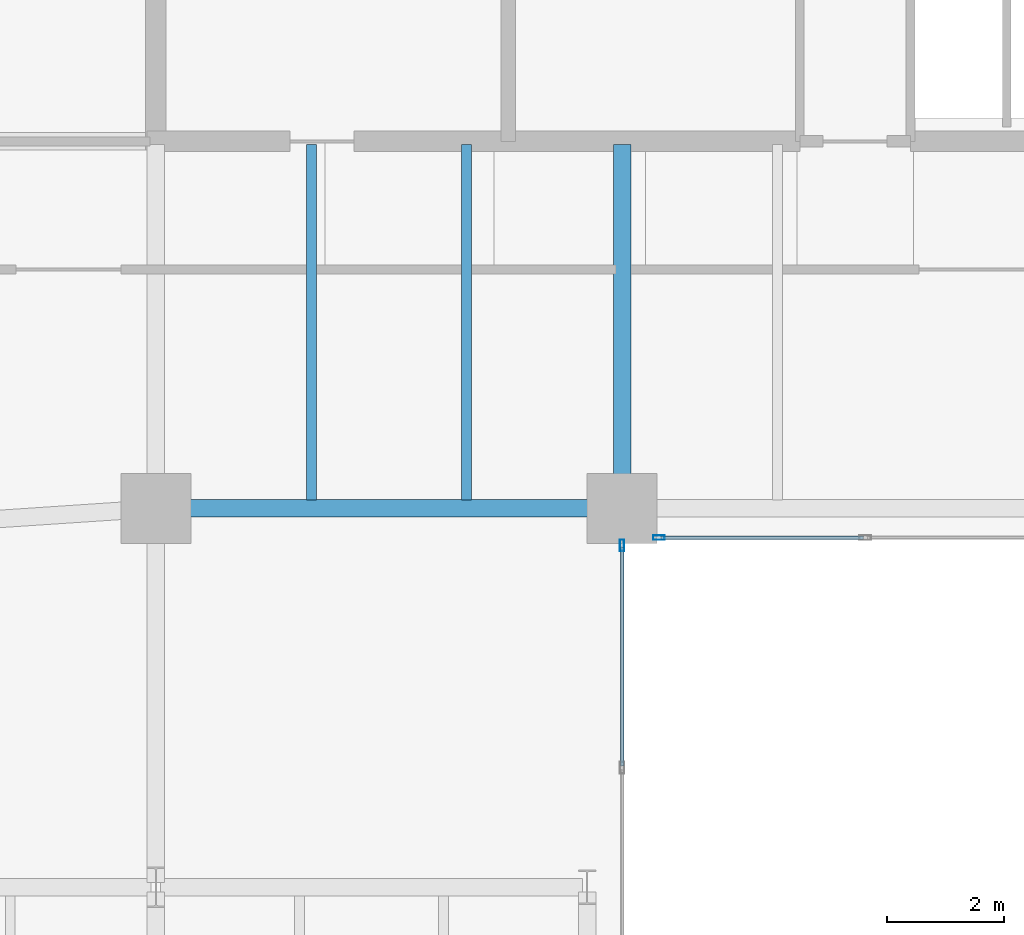
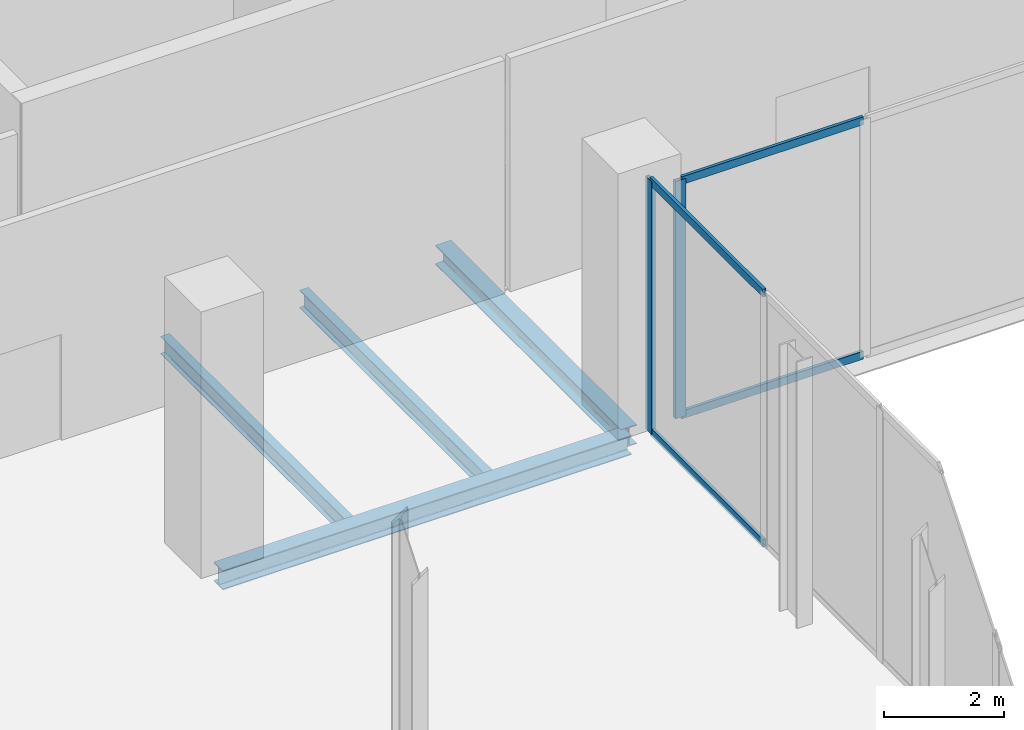
# One storey, part 8 of 18: 6 members, 4 beams, 2 elements without a shape of their own.
"""IFC4 building model written with IfcOpenShell, lengths in metres."""

from ifc_helpers import new_model, si_unit, direction, frame, origin, origin_2d, place, context, subcontext, project, spatial, hollow_rectangle, i_section, extrude, material, layer, layer_set, material_profile, profile_set, type_object, element, aggregate, save


model = new_model("IFC4")

# Units and contexts
model_context = context("Model", 3, precision=1e-05, world=origin(), true_north=direction((0.0, 1.0)))
body_context = subcontext(model_context, "Body", "Model", "MODEL_VIEW")
ifc_project = project(units=[si_unit("LENGTHUNIT", "METRE"), si_unit("AREAUNIT", "SQUARE_METRE"), si_unit("VOLUMEUNIT", "CUBIC_METRE"), si_unit("PLANEANGLEUNIT", "RADIAN"), si_unit("MASSUNIT", "GRAM", prefix="KILO")], contexts=[model_context])

# Site, building, storey
site_placement = place(None, origin())
site = spatial("IfcSite", under=ifc_project, at=site_placement, CompositionType="ELEMENT")
building_placement = place(site_placement, origin())
building = spatial("IfcBuilding", under=site, at=building_placement, Name="Catumbela Crestline Tower", CompositionType="ELEMENT")
storey_placement = place(building_placement, frame((0.0, 0.0, 148.8)))
storey = spatial("IfcBuildingStorey", under=building, at=storey_placement, Name="L38", CompositionType="ELEMENT", Elevation=148.8)

# Beams
ifc_material_1 = material(Name="Structural steel S355J2", Category="steel")
ifc_material_profile_1 = material_profile(ifc_material_1, i_section(OverallWidth=0.3, OverallDepth=0.39, WebThickness=0.011, FlangeThickness=0.019, FilletRadius=0.027, at=origin_2d()), Name="HEA 400")
ifc_profile_set_1 = profile_set([ifc_material_profile_1], Name="Structural steel S355J2")
beam_type_1 = type_object("IfcBeamType", Name="BG-HEA400", PredefinedType="BEAM", material=ifc_profile_set_1)
beam_1_placement = place(storey_placement, frame((16.08, 24.5, -0.545), z_axis=(1.0, 0.0, 0.0), x_axis=(0.0, 1.0, 0.0)))
element("IfcBeam", 1, at=beam_1_placement, inside=storey, type_object=beam_type_1, Name="L38 Beam BM-L38-S03", PredefinedType="BEAM", context=body_context, shape_type="SweptSolid", body=[
    extrude(i_section(OverallWidth=0.3, OverallDepth=0.39, WebThickness=0.011, FlangeThickness=0.019, FilletRadius=0.027, at=origin_2d()), origin(), (0.0, 0.0, 1.0), 7.84),
])
beam_2_placement = place(storey_placement, frame((24.0, 24.58, -0.545), z_axis=(0.0, 1.0, 0.0), x_axis=(-1.0, 0.0, 0.0)))
element("IfcBeam", 2, at=beam_2_placement, inside=storey, type_object=beam_type_1, Name="L38 Beam BM-L38-SNS18", PredefinedType="BEAM", context=body_context, shape_type="SweptSolid", body=[
    extrude(i_section(OverallWidth=0.3, OverallDepth=0.39, WebThickness=0.011, FlangeThickness=0.019, FilletRadius=0.027, at=origin_2d()), origin(), (0.0, 0.0, 1.0), 6.17),
])
ifc_material_profile_2 = material_profile(ifc_material_1, i_section(OverallWidth=0.17, OverallDepth=0.36, WebThickness=0.008, FlangeThickness=0.0127, FilletRadius=0.018, at=origin_2d()), Name="IPE 360")
ifc_profile_set_2 = profile_set([ifc_material_profile_2], Name="Structural steel S355J2")
beam_type_2 = type_object("IfcBeamType", Name="BJ-IPE360", PredefinedType="JOIST", material=ifc_profile_set_2)
for number, where, z_axis, x_axis, name in (
    (3, (18.667, 24.647, -0.53), (0.0, 1.0, 0.0), (-1.0, 0.0, 0.0), "L38 Joist JS-L38-SP26"),
    (4, (21.333, 24.647, -0.53), (0.0, 1.0, 0.0), (-1.0, 0.0, 0.0), "L38 Joist JS-L38-SP27"),
):
    element("IfcBeam", number, at=place(storey_placement, frame(where, z_axis=z_axis, x_axis=x_axis)), inside=storey, type_object=beam_type_2, Name=name, PredefinedType="JOIST", context=body_context, shape_type="SweptSolid", body=[
        extrude(i_section(OverallWidth=0.17, OverallDepth=0.36, WebThickness=0.008, FlangeThickness=0.0127, FilletRadius=0.018, at=origin_2d()), origin(), (0.0, 0.0, 1.0), 6.103),
    ])

# Curtain wall, member
ifc_material_2 = material(Name="Aluminium alloy AW-6060-T66", Category="aluminium")
ifc_layer = layer(ifc_material_2, 0.18, Name="Aluminium alloy AW-6060-T66")
ifc_layer_set = layer_set([ifc_layer], Name="Aluminium alloy AW-6060-T66")
curtain_wall_type = type_object("IfcCurtainWallType", Name="CWU-SKY", PredefinedType="USERDEFINED", material=ifc_layer_set)
curtain_wall_1_placement = place(storey_placement, origin())
curtain_wall_1 = element("IfcCurtainWall", 5, at=curtain_wall_1_placement, inside=storey, type_object=curtain_wall_type, Name="L38 Unitised Curtain Wall CW-L38-E2S1", ObjectType="UNITISED", PredefinedType="USERDEFINED")
ifc_material_profile_3 = material_profile(ifc_material_2, hollow_rectangle(XDim=0.075, YDim=0.2, WallThickness=0.005, at=origin_2d()), Name="ALU 200x75x5")
ifc_profile_set_3 = profile_set([ifc_material_profile_3], Name="Aluminium alloy AW-6060-T66")
member_type_1 = type_object("IfcMemberType", Name="MUL-200X75", PredefinedType="MULLION", material=ifc_profile_set_3)
member_1_placement = place(storey_placement, frame((24.0, 23.8675, 0.0), z_axis=(0.0, 0.0, 1.0), x_axis=(-1.0, 0.0, 0.0)))
member_1 = element("IfcMember", 6, at=member_1_placement, type_object=member_type_1, Name="CWU-SKY mullion 5", PredefinedType="MULLION", context=body_context, shape_type="SweptSolid", body=[
    extrude(hollow_rectangle(XDim=0.075, YDim=0.2, WallThickness=0.005, at=origin_2d()), origin(), (0.0, 0.0, 1.0), 5.13),
])

curtain_wall_2_placement = place(storey_placement, origin())
curtain_wall_2 = element("IfcCurtainWall", 7, at=curtain_wall_2_placement, inside=storey, type_object=curtain_wall_type, Name="L38 Unitised Curtain Wall CW-L38-E3S1", ObjectType="UNITISED", PredefinedType="USERDEFINED")
member_2_placement = place(storey_placement, frame((24.6325, 24.0, 0.0), z_axis=(0.0, 0.0, 1.0), x_axis=(0.0, 1.0, 0.0)))
member_2 = element("IfcMember", 8, at=member_2_placement, type_object=member_type_1, Name="CWU-SKY mullion 1", PredefinedType="MULLION", context=body_context, shape_type="SweptSolid", body=[
    extrude(hollow_rectangle(XDim=0.075, YDim=0.2, WallThickness=0.005, at=origin_2d()), origin(), (0.0, 0.0, 1.0), 4.81),
])

# Member
ifc_material_profile_4 = material_profile(ifc_material_2, hollow_rectangle(XDim=0.06, YDim=0.16, WallThickness=0.004, at=origin_2d()), Name="ALU 160x60x4")
ifc_profile_set_4 = profile_set([ifc_material_profile_4], Name="Aluminium alloy AW-6060-T66")
member_type_2 = type_object("IfcMemberType", Name="TRN-160X60", PredefinedType="USERDEFINED", material=ifc_profile_set_4)
member_3_placement = place(storey_placement, frame((24.0, 20.0825, 0.03), z_axis=(0.0, 1.0, 0.0), x_axis=(-1.0, 0.0, 0.0)))
member_3 = element("IfcMember", 9, at=member_3_placement, type_object=member_type_2, Name="CWU-SKY transom 4.1", ObjectType="TRANSOM", PredefinedType="USERDEFINED", context=body_context, shape_type="SweptSolid", body=[
    extrude(hollow_rectangle(XDim=0.06, YDim=0.16, WallThickness=0.004, at=origin_2d()), origin(), (0.0, 0.0, 1.0), 3.7525),
])

member_4_placement = place(storey_placement, frame((24.0, 20.0825, 5.1), z_axis=(0.0, 1.0, 0.0), x_axis=(-1.0, 0.0, 0.0)))
member_4 = element("IfcMember", 10, at=member_4_placement, type_object=member_type_2, Name="CWU-SKY transom 4.2", ObjectType="TRANSOM", PredefinedType="USERDEFINED", context=body_context, shape_type="SweptSolid", body=[
    extrude(hollow_rectangle(XDim=0.06, YDim=0.16, WallThickness=0.004, at=origin_2d()), origin(), (0.0, 0.0, 1.0), 3.7525),
])

aggregate(curtain_wall_1, [member_1, member_3, member_4])

member_5_placement = place(storey_placement, frame((24.665, 24.0, 0.03), z_axis=(1.0, 0.0, 0.0), x_axis=(0.0, 1.0, 0.0)))
member_5 = element("IfcMember", 11, at=member_5_placement, type_object=member_type_2, Name="CWU-SKY transom 1.1", ObjectType="TRANSOM", PredefinedType="USERDEFINED", context=body_context, shape_type="SweptSolid", body=[
    extrude(hollow_rectangle(XDim=0.06, YDim=0.16, WallThickness=0.004, at=origin_2d()), origin(), (0.0, 0.0, 1.0), 3.4775),
])

member_6_placement = place(storey_placement, frame((24.665, 24.0, 4.78), z_axis=(1.0, 0.0, 0.0), x_axis=(0.0, 1.0, 0.0)))
member_6 = element("IfcMember", 12, at=member_6_placement, type_object=member_type_2, Name="CWU-SKY transom 1.2", ObjectType="TRANSOM", PredefinedType="USERDEFINED", context=body_context, shape_type="SweptSolid", body=[
    extrude(hollow_rectangle(XDim=0.06, YDim=0.16, WallThickness=0.004, at=origin_2d()), origin(), (0.0, 0.0, 1.0), 3.4775),
])

aggregate(curtain_wall_2, [member_2, member_5, member_6])

save(model, "model.ifc")
